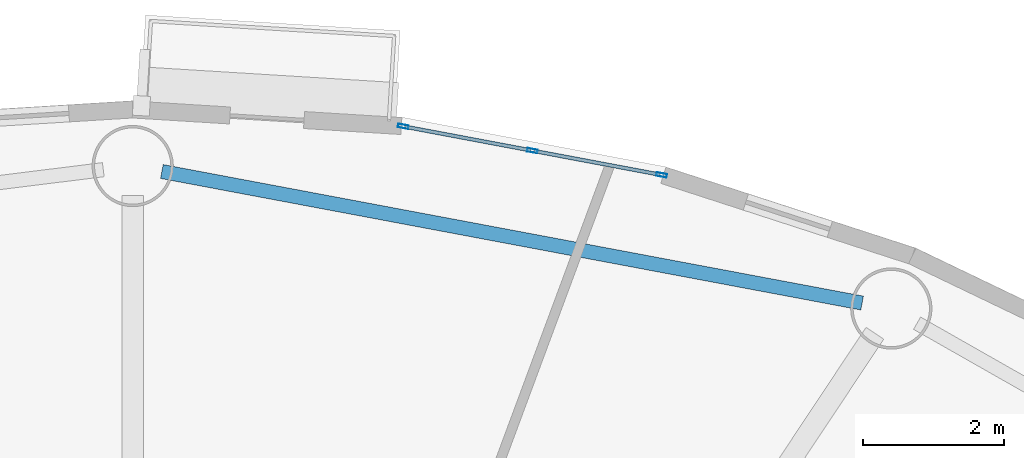
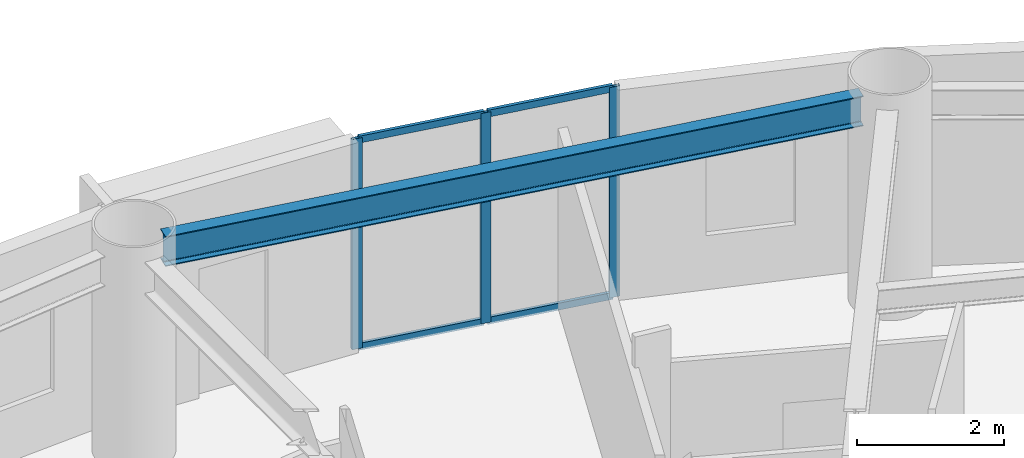
# One storey, part 5 of 20: 7 members, 1 beam, 1 element without a shape of its own.
"""IFC4 building model written with IfcOpenShell, lengths in metres."""

from ifc_helpers import new_model, si_unit, direction, frame, origin, origin_2d, place, context, subcontext, project, spatial, hollow_rectangle, i_section, extrude, source, transform, mapped, material, layer, layer_set, material_profile, profile_set, type_object, element, aggregate, save


model = new_model("IFC4")

# Units and contexts
model_context = context("Model", 3, precision=1e-05, world=origin(), true_north=direction((0.0, 1.0)))
body_context = subcontext(model_context, "Body", "Model", "MODEL_VIEW")
ifc_project = project(units=[si_unit("LENGTHUNIT", "METRE"), si_unit("AREAUNIT", "SQUARE_METRE"), si_unit("VOLUMEUNIT", "CUBIC_METRE"), si_unit("PLANEANGLEUNIT", "RADIAN"), si_unit("MASSUNIT", "GRAM", prefix="KILO")], contexts=[model_context])

# Site, building, storey
site_placement = place(None, origin())
site = spatial("IfcSite", under=ifc_project, at=site_placement, CompositionType="ELEMENT")
building_placement = place(site_placement, origin())
building = spatial("IfcBuilding", under=site, at=building_placement, Name="Linh Dai School and Residence Tower", CompositionType="ELEMENT")
storey_placement = place(building_placement, frame((0.0, 0.0, 221.550048828125)))
storey = spatial("IfcBuildingStorey", under=building, at=storey_placement, Name="L54", CompositionType="ELEMENT", Elevation=221.550048828125)

# Beam
ifc_material_1 = material(Name="Structural Steel S355JR", Category="steel")
ifc_material_profile_1 = material_profile(ifc_material_1, i_section(OverallWidth=0.199951171875, OverallDepth=0.5, WebThickness=0.01025390625, FlangeThickness=0.01611328125, FilletRadius=0.02099609375, at=origin_2d()), Name="IPE 500")
ifc_profile_set_1 = profile_set([ifc_material_profile_1], Name="Structural Steel S355JR")
beam_type = type_object("IfcBeamType", Name="BM-RB50", PredefinedType="BEAM", material=ifc_profile_set_1)
beam_placement = place(storey_placement, frame((46.32177734375, 43.240966796875, 3.25), z_axis=(-0.982806607762, 0.184637947722, 0.0), x_axis=(-0.184637947722, -0.982806607762, 0.0)))
element("IfcBeam", 1, at=beam_placement, inside=storey, type_object=beam_type, Name="L54 Perimeter Elliptical Ring Beam 04", PredefinedType="BEAM", context=body_context, shape_type="SweptSolid", body=[
    extrude(i_section(OverallWidth=0.199951171875, OverallDepth=0.5, WebThickness=0.01025390625, FlangeThickness=0.01611328125, FilletRadius=0.02099609375, at=origin_2d()), origin(), (0.0, 0.0, 1.0), 10.082275390625),
])

# Curtain wall, members
ifc_material_2 = material(Name="Aluminium Anodised Curtain Wall", Category="aluminium")
ifc_layer = layer(ifc_material_2, 0.14990234375)
ifc_layer_set = layer_set([ifc_layer], Name="Aluminium Anodised Curtain Wall")
curtain_wall_type = type_object("IfcCurtainWallType", Name="CW-SYS-4", PredefinedType="USERDEFINED", material=ifc_layer_set)
curtain_wall_placement = place(storey_placement, origin())
curtain_wall = element("IfcCurtainWall", 2, at=curtain_wall_placement, inside=storey, type_object=curtain_wall_type, Name="L54 CW4 Curtain Wall 09", ObjectType="RIBBON CURTAIN WALL", PredefinedType="USERDEFINED")
ifc_material_3 = material(Name="Aluminium Alloy 6063-T6", Category="aluminium")
ifc_material_profile_2 = material_profile(ifc_material_3, hollow_rectangle(XDim=0.052001953125, YDim=0.14990234375, WallThickness=0.00390625, at=origin_2d()), Name="RHS 150x52x4")
ifc_profile_set_2 = profile_set([ifc_material_profile_2], Name="Aluminium Alloy 6063-T6")
member_type_1 = type_object("IfcMemberType", Name="CW-SYS-4-MUL", PredefinedType="MULLION", material=ifc_profile_set_2)
shared_shape_1 = source(origin(), body_context, "Body", "SweptSolid", [
    extrude(hollow_rectangle(XDim=0.052001953125, YDim=0.14990234375, WallThickness=0.00390625, at=origin_2d()), origin(), (0.0, 0.0, 1.0), 3.5),
])
member_1_placement = place(storey_placement, frame((39.8271484375, 45.740966796875, 0.0), z_axis=(0.0, 0.0, 1.0), x_axis=(0.18474448537, 0.982786586765, 0.0)))
member_1 = element("IfcMember", 3, at=member_1_placement, type_object=member_type_1, Name="CW4 mullion 1", PredefinedType="MULLION", context=body_context, shape_type="MappedRepresentation", body=[
    mapped(shared_shape_1, transform((0.0, 0.0, 0.0), x_axis=(1.0, 0.0, 0.0), y_axis=(0.0, 1.0, 0.0), z_axis=(0.0, 0.0, 1.0), scale=1.0)),
])
member_2_placement = place(storey_placement, frame((41.655517578125, 45.397216796875, 0.0), z_axis=(0.0, 0.0, 1.0), x_axis=(0.18474448537, 0.982786586765, 0.0)))
member_2 = element("IfcMember", 4, at=member_2_placement, type_object=member_type_1, Name="CW4 mullion 2", PredefinedType="MULLION", context=body_context, shape_type="MappedRepresentation", body=[
    mapped(shared_shape_1, transform((0.0, 0.0, 0.0), x_axis=(1.0, 0.0, 0.0), y_axis=(0.0, 1.0, 0.0), z_axis=(0.0, 0.0, 1.0), scale=1.0)),
])
member_3_placement = place(storey_placement, frame((43.483642578125, 45.0537109375, 0.0), z_axis=(0.0, 0.0, 1.0), x_axis=(0.18474448537, 0.982786586765, 0.0)))
member_3 = element("IfcMember", 5, at=member_3_placement, type_object=member_type_1, Name="CW4 mullion 3", PredefinedType="MULLION", context=body_context, shape_type="MappedRepresentation", body=[
    mapped(shared_shape_1, transform((0.0, 0.0, 0.0), x_axis=(1.0, 0.0, 0.0), y_axis=(0.0, 1.0, 0.0), z_axis=(0.0, 0.0, 1.0), scale=1.0)),
])
ifc_material_profile_3 = material_profile(ifc_material_3, hollow_rectangle(XDim=0.052001953125, YDim=0.114990234375, WallThickness=0.00390625, at=origin_2d()), Name="RHS 115x52x4")
ifc_profile_set_3 = profile_set([ifc_material_profile_3], Name="Aluminium Alloy 6063-T6")
member_type_2 = type_object("IfcMemberType", Name="CW-SYS-4-TRN", PredefinedType="USERDEFINED", material=ifc_profile_set_3)
shared_shape_2 = source(origin(), body_context, "Body", "SweptSolid", [
    extrude(hollow_rectangle(XDim=0.052001953125, YDim=0.114990234375, WallThickness=0.00390625, at=origin_2d()), origin(), (0.0, 0.0, 1.0), 1.80810546875),
])
member_4_placement = place(storey_placement, frame((39.852783203125, 45.736083984375, 0.02587890625), z_axis=(0.982794145363, -0.184704271309, 0.0), x_axis=(0.184704271309, 0.982794145363, 0.0)))
member_4 = element("IfcMember", 6, at=member_4_placement, type_object=member_type_2, Name="CW4 transom 1.1", ObjectType="TRANSOM", PredefinedType="USERDEFINED", context=body_context, shape_type="MappedRepresentation", body=[
    mapped(shared_shape_2, transform((0.0, 0.0, 0.0), x_axis=(1.0, 0.0, 0.0), y_axis=(0.0, 1.0, 0.0), z_axis=(0.0, 0.0, 1.0), scale=1.0)),
])
member_5_placement = place(storey_placement, frame((39.852783203125, 45.736083984375, 3.473876953125), z_axis=(0.982794145363, -0.184704271309, 0.0), x_axis=(0.184704271309, 0.982794145363, 0.0)))
member_5 = element("IfcMember", 7, at=member_5_placement, type_object=member_type_2, Name="CW4 transom 1.2", ObjectType="TRANSOM", PredefinedType="USERDEFINED", context=body_context, shape_type="MappedRepresentation", body=[
    mapped(shared_shape_2, transform((0.0, 0.0, 0.0), x_axis=(1.0, 0.0, 0.0), y_axis=(0.0, 1.0, 0.0), z_axis=(0.0, 0.0, 1.0), scale=1.0)),
])
shared_shape_3 = source(origin(), body_context, "Body", "SweptSolid", [
    extrude(hollow_rectangle(XDim=0.052001953125, YDim=0.114990234375, WallThickness=0.00390625, at=origin_2d()), origin(), (0.0, 0.0, 1.0), 1.808349609375),
])
member_6_placement = place(storey_placement, frame((41.680908203125, 45.392578125, 0.02587890625), z_axis=(0.982769628055, -0.184834677951, 0.0), x_axis=(0.184834677951, 0.982769628055, 0.0)))
member_6 = element("IfcMember", 8, at=member_6_placement, type_object=member_type_2, Name="CW4 transom 2.1", ObjectType="TRANSOM", PredefinedType="USERDEFINED", context=body_context, shape_type="MappedRepresentation", body=[
    mapped(shared_shape_3, transform((0.0, 0.0, 0.0), x_axis=(1.0, 0.0, 0.0), y_axis=(0.0, 1.0, 0.0), z_axis=(0.0, 0.0, 1.0), scale=1.0)),
])
member_7_placement = place(storey_placement, frame((41.680908203125, 45.392578125, 3.473876953125), z_axis=(0.982769628055, -0.184834677951, 0.0), x_axis=(0.184834677951, 0.982769628055, 0.0)))
member_7 = element("IfcMember", 9, at=member_7_placement, type_object=member_type_2, Name="CW4 transom 2.2", ObjectType="TRANSOM", PredefinedType="USERDEFINED", context=body_context, shape_type="MappedRepresentation", body=[
    mapped(shared_shape_3, transform((0.0, 0.0, 0.0), x_axis=(1.0, 0.0, 0.0), y_axis=(0.0, 1.0, 0.0), z_axis=(0.0, 0.0, 1.0), scale=1.0)),
])
aggregate(curtain_wall, [member_1, member_2, member_3, member_4, member_5, member_6, member_7])

save(model, "model.ifc")
